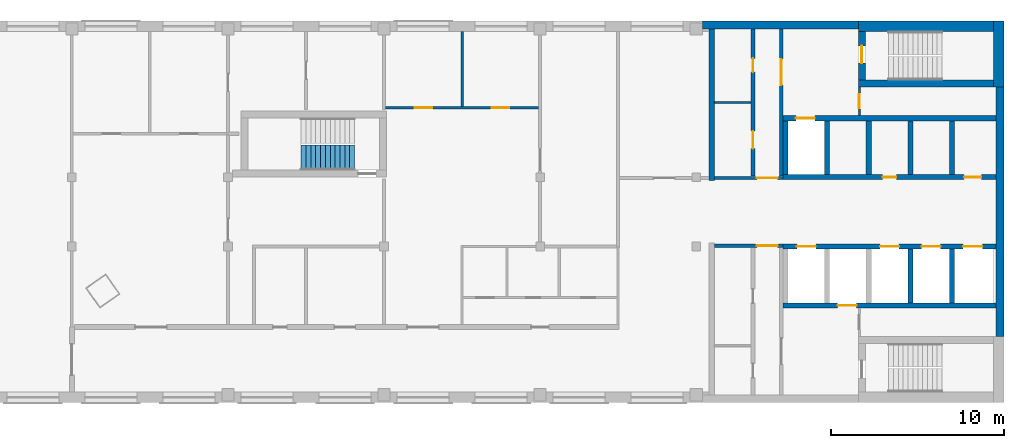
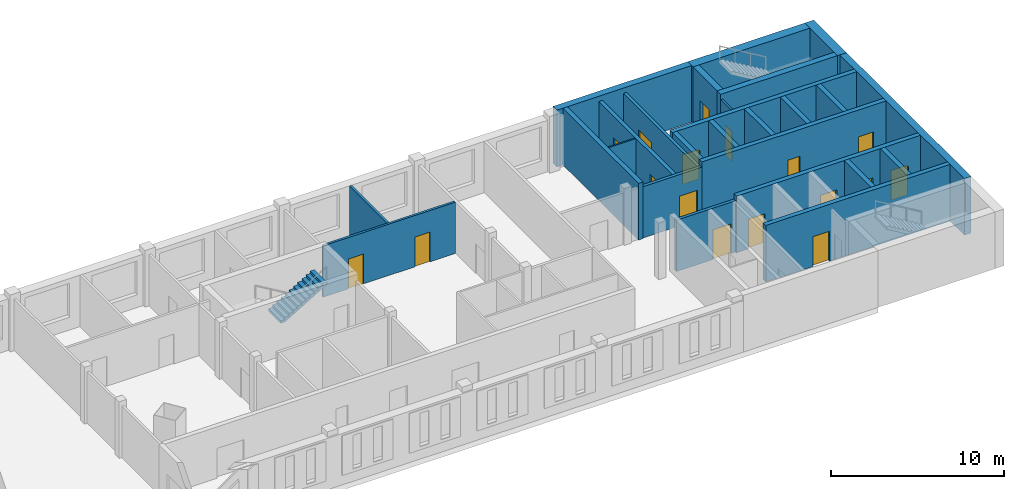
# One storey, part 4 of 6: 26 walls, 17 doors, 1 stair flight, 17 openings, 1 element without a shape of its own.
"""IFC4 building model written with IfcOpenShell, lengths in metres."""

from ifc_helpers import new_model, si_unit, direction, frame, frame_2d, origin, place, context, subcontext, project, spatial, polyline, rectangle, outline, extrude, material, layer, layer_set, type_object, element, fill, aggregate, save


model = new_model("IFC4")

# Units and contexts
model_context = context("Model", 3, precision=1e-05, world=origin(), true_north=direction((0.0, 1.0)))
body_context = subcontext(model_context, "Body", "Model", "MODEL_VIEW")
ifc_project = project(units=[si_unit("LENGTHUNIT", "METRE"), si_unit("AREAUNIT", "SQUARE_METRE"), si_unit("VOLUMEUNIT", "CUBIC_METRE"), si_unit("PLANEANGLEUNIT", "RADIAN"), si_unit("MASSUNIT", "GRAM", prefix="KILO")], contexts=[model_context])

# Site, building, storey
site_placement = place(None, origin())
site = spatial("IfcSite", under=ifc_project, at=site_placement, CompositionType="ELEMENT")
building_placement = place(site_placement, origin())
building = spatial("IfcBuilding", under=site, at=building_placement, Name="Skarvind Civic Tower", CompositionType="ELEMENT")
storey_placement = place(building_placement, frame((0.0, 0.0, 249.5)))
storey = spatial("IfcBuildingStorey", under=building, at=storey_placement, Name="L59", CompositionType="ELEMENT", Elevation=249.5)

# Wall, opening, door
ifc_material_1 = material(Name="Fire-rated masonry partition", Category="masonry")
ifc_layer_1 = layer(ifc_material_1, 0.199951171875)
ifc_layer_set_1 = layer_set([ifc_layer_1], Name="Core enclosure wall 200")
wall_type_1 = type_object("IfcWallType", Name="Core enclosure wall 200", PredefinedType="PARTITIONING", material=ifc_layer_set_1)
wall_1_placement = place(storey_placement, frame((95.25, 126.050048828125, 0.0), z_axis=(0.0, 0.0, 1.0), x_axis=(-1.0, 0.0, 0.0)))
wall_1 = element("IfcWall", 1, at=wall_1_placement, inside=storey, type_object=wall_type_1, Name="Core wall C1", PredefinedType="PARTITIONING", context=body_context, shape_type="SweptSolid", body=[
    extrude(rectangle(XDim=3.949951171875, YDim=0.199951171875, at=frame_2d((1.97509765625, 0.0))), origin(), (0.0, 0.0, 1.0), 3.625),
])
opening_1_placement = place(wall_1_placement, frame((0.300048828125, 0.0, 0.0)))
opening_1 = element("IfcOpeningElement", 2, at=opening_1_placement, cuts=wall_1, Name="Opening D-L59-C1-07", PredefinedType="OPENING", context=body_context, shape_type="SweptSolid", body=[
    extrude(rectangle(XDim=1.199951171875, YDim=2.10009765625, at=frame_2d((0.60009765625, 1.050048828125))), frame((0.0, 0.10986328125, 0.0), z_axis=(0.0, -1.0, 0.0), x_axis=(1.0, 0.0, 0.0)), (0.0, 0.0, 1.0), 0.219970703125),
])
ifc_material_2 = material(Name="Fire-rated steel door", Category="steel")
door_type_1 = type_object("IfcDoorType", Name="Core lobby door 1200", OperationType="NOTDEFINED", PredefinedType="DOOR", material=ifc_material_2)
door_1_placement = place(opening_1_placement, origin())
door_1 = element("IfcDoor", 3, at=door_1_placement, inside=storey, type_object=door_type_1, Name="Fire door", OperationType="DOUBLE_DOOR_SINGLE_SWING", OverallHeight=2.10009765625, OverallWidth=1.199951171875, PredefinedType="DOOR", context=body_context, shape_type="SweptSolid", body=[
    extrude(rectangle(XDim=1.199951171875, YDim=2.10009765625, at=frame_2d((0.60009765625, 1.050048828125))), frame((0.0, 0.02490234375, 0.0), z_axis=(0.0, -1.0, 0.0), x_axis=(1.0, 0.0, 0.0)), (0.0, 0.0, 1.0), 0.050048828125),
])
fill(opening_1, door_1)

wall_2_placement = place(storey_placement, frame((91.300048828125, 129.949951171875, 0.0), z_axis=(0.0, 0.0, 1.0), x_axis=(1.0, 0.0, 0.0)))
wall_2 = element("IfcWall", 4, at=wall_2_placement, inside=storey, type_object=wall_type_1, Name="Core wall C1", PredefinedType="PARTITIONING", context=body_context, shape_type="SweptSolid", body=[
    extrude(rectangle(XDim=3.949951171875, YDim=0.199951171875, at=frame_2d((1.97509765625, 0.0))), origin(), (0.0, 0.0, 1.0), 3.625),
])
opening_2_placement = place(wall_2_placement, frame((2.449951171875, 0.0, 0.0)))
opening_2 = element("IfcOpeningElement", 5, at=opening_2_placement, cuts=wall_2, Name="Opening D-L59-C1-13", PredefinedType="OPENING", context=body_context, shape_type="SweptSolid", body=[
    extrude(rectangle(XDim=1.199951171875, YDim=2.10009765625, at=frame_2d((0.60009765625, 1.050048828125))), frame((0.0, 0.10986328125, 0.0), z_axis=(0.0, -1.0, 0.0), x_axis=(1.0, 0.0, 0.0)), (0.0, 0.0, 1.0), 0.219970703125),
])
door_2_placement = place(opening_2_placement, origin())
door_2 = element("IfcDoor", 6, at=door_2_placement, inside=storey, type_object=door_type_1, Name="Fire door", OperationType="DOUBLE_DOOR_SINGLE_SWING", OverallHeight=2.10009765625, OverallWidth=1.199951171875, PredefinedType="DOOR", context=body_context, shape_type="SweptSolid", body=[
    extrude(rectangle(XDim=1.199951171875, YDim=2.10009765625, at=frame_2d((0.60009765625, 1.050048828125))), frame((0.0, 0.02490234375, 0.0), z_axis=(0.0, -1.0, 0.0), x_axis=(1.0, 0.0, 0.0)), (0.0, 0.0, 1.0), 0.050048828125),
])
fill(opening_2, door_2)

wall_3_placement = place(storey_placement, frame((95.14990234375, 130.050048828125, 0.0), z_axis=(0.0, 0.0, 1.0), x_axis=(0.0, 1.0, 0.0)))
wall_3 = element("IfcWall", 7, at=wall_3_placement, inside=storey, type_object=wall_type_1, Name="Core wall C1", PredefinedType="PARTITIONING", context=body_context, shape_type="SweptSolid", body=[
    extrude(rectangle(XDim=8.5, YDim=0.199951171875, at=frame_2d((4.25, 0.0))), origin(), (0.0, 0.0, 1.0), 3.625),
])
opening_3_placement = place(wall_3_placement, frame((5.25, 0.0, 0.0)))
opening_3 = element("IfcOpeningElement", 8, at=opening_3_placement, cuts=wall_3, Name="Opening D-L59-C1-14", PredefinedType="OPENING", context=body_context, shape_type="SweptSolid", body=[
    extrude(rectangle(XDim=1.5, YDim=2.10009765625, at=frame_2d((0.75, 1.050048828125))), frame((0.0, 0.10986328125, 0.0), z_axis=(0.0, -1.0, 0.0), x_axis=(1.0, 0.0, 0.0)), (0.0, 0.0, 1.0), 0.219970703125),
])
door_type_2 = type_object("IfcDoorType", Name="Fire door 1500", OperationType="NOTDEFINED", PredefinedType="DOOR", material=ifc_material_2)
door_3_placement = place(opening_3_placement, origin())
door_3 = element("IfcDoor", 9, at=door_3_placement, inside=storey, type_object=door_type_2, Name="Fire door", OperationType="DOUBLE_DOOR_SINGLE_SWING", OverallHeight=2.10009765625, OverallWidth=1.5, PredefinedType="DOOR", context=body_context, shape_type="SweptSolid", body=[
    extrude(rectangle(XDim=1.5, YDim=2.10009765625, at=frame_2d((0.75, 1.050048828125))), frame((0.0, 0.02490234375, 0.0), z_axis=(0.0, -1.0, 0.0), x_axis=(1.0, 0.0, 0.0)), (0.0, 0.0, 1.0), 0.050048828125),
])
fill(opening_3, door_3)

# Wall
ifc_material_3 = material(Name="Fire-rated plasterboard partition")
ifc_layer_2 = layer(ifc_material_3, 0.10009765625)
ifc_layer_set_2 = layer_set([ifc_layer_2], Name="Core partition wall 100")
wall_type_2 = type_object("IfcWallType", Name="Core partition wall 100", PredefinedType="PARTITIONING", material=ifc_layer_set_2)
wall_4_placement = place(storey_placement, frame((91.300048828125, 134.300048828125, 0.0), z_axis=(0.0, 0.0, 1.0), x_axis=(1.0, 0.0, 0.0)))
element("IfcWall", 10, at=wall_4_placement, inside=storey, type_object=wall_type_2, Name="Core wall C1", PredefinedType="PARTITIONING", context=body_context, shape_type="SweptSolid", body=[
    extrude(rectangle(XDim=2.099853515625, YDim=0.10009765625, at=frame_2d((1.0498046875, 0.0))), origin(), (0.0, 0.0, 1.0), 3.625),
])

# Wall, openings, doors
ifc_material_4 = material(Name="Concrete C60", Category="concrete")
ifc_layer_3 = layer(ifc_material_4, 0.300048828125)
ifc_layer_set_3 = layer_set([ifc_layer_3], Name="Core wall 300 C60")
wall_type_3 = type_object("IfcWallType", Name="Core wall 300 C60", PredefinedType="SHEAR", material=ifc_layer_set_3)
wall_5_placement = place(storey_placement, frame((107.550048828125, 130.0, 0.0), z_axis=(0.0, 0.0, 1.0), x_axis=(-1.0, 0.0, 0.0)))
wall_5 = element("IfcWall", 11, at=wall_5_placement, inside=storey, type_object=wall_type_3, Name="Core wall C1 south lift row front L59", PredefinedType="SHEAR", context=body_context, shape_type="SweptSolid", body=[
    extrude(rectangle(XDim=12.300048828125, YDim=0.300048828125, at=frame_2d((6.14990234375, 0.0))), origin(), (0.0, 0.0, 1.0), 4.0),
])
opening_4_placement = place(wall_5_placement, frame((0.85009765625, 0.0, 0.0)))
opening_4 = element("IfcOpeningElement", 12, at=opening_4_placement, cuts=wall_5, Name="Opening D-L59-C1-05", PredefinedType="OPENING", context=body_context, shape_type="SweptSolid", body=[
    extrude(rectangle(XDim=1.0, YDim=2.10009765625, at=frame_2d((0.5, 1.050048828125))), frame((0.0, 0.159912109375, 0.0), z_axis=(0.0, -1.0, 0.0), x_axis=(1.0, 0.0, 0.0)), (0.0, 0.0, 1.0), 0.320068359375),
])
opening_5_placement = place(wall_5_placement, frame((5.75, 0.0, 0.0)))
opening_5 = element("IfcOpeningElement", 13, at=opening_5_placement, cuts=wall_5, Name="Opening D-L59-C1-06", PredefinedType="OPENING", context=body_context, shape_type="SweptSolid", body=[
    extrude(rectangle(XDim=0.800048828125, YDim=2.10009765625, at=frame_2d((0.39990234375, 1.050048828125))), frame((0.0, 0.159912109375, 0.0), z_axis=(0.0, -1.0, 0.0), x_axis=(1.0, 0.0, 0.0)), (0.0, 0.0, 1.0), 0.320068359375),
])
door_type_3 = type_object("IfcDoorType", Name="Core riser door 800", OperationType="NOTDEFINED", PredefinedType="DOOR", material=ifc_material_2)
door_4_placement = place(opening_5_placement, origin())
door_4 = element("IfcDoor", 14, at=door_4_placement, inside=storey, type_object=door_type_3, Name="Riser door", OperationType="SINGLE_SWING_RIGHT", OverallHeight=2.10009765625, OverallWidth=0.800048828125, PredefinedType="DOOR", context=body_context, shape_type="SweptSolid", body=[
    extrude(rectangle(XDim=0.800048828125, YDim=2.10009765625, at=frame_2d((0.39990234375, 1.050048828125))), frame((0.0, 0.02490234375, 0.0), z_axis=(0.0, -1.0, 0.0), x_axis=(1.0, 0.0, 0.0)), (0.0, 0.0, 1.0), 0.050048828125),
])
fill(opening_5, door_4)
door_type_4 = type_object("IfcDoorType", Name="Fire door 1000", OperationType="NOTDEFINED", PredefinedType="DOOR", material=ifc_material_2)
door_5_placement = place(opening_4_placement, origin())
door_5 = element("IfcDoor", 15, at=door_5_placement, inside=storey, type_object=door_type_4, Name="Fire door", OperationType="SINGLE_SWING_LEFT", OverallHeight=2.10009765625, OverallWidth=1.0, PredefinedType="DOOR", context=body_context, shape_type="SweptSolid", body=[
    extrude(rectangle(XDim=1.0, YDim=2.10009765625, at=frame_2d((0.5, 1.050048828125))), frame((0.0, 0.02490234375, 0.0), z_axis=(0.0, -1.0, 0.0), x_axis=(1.0, 0.0, 0.0)), (0.0, 0.0, 1.0), 0.050048828125),
])
fill(opening_4, door_5)

# Wall, opening, door
wall_6_placement = place(storey_placement, frame((107.550048828125, 133.39990234375, 0.0), z_axis=(0.0, 0.0, 1.0), x_axis=(-1.0, 0.0, 0.0)))
wall_6 = element("IfcWall", 16, at=wall_6_placement, inside=storey, type_object=wall_type_3, Name="Core wall C1 south lift row back L59", PredefinedType="SHEAR", context=body_context, shape_type="SweptSolid", body=[
    extrude(rectangle(XDim=12.300048828125, YDim=0.300048828125, at=frame_2d((6.14990234375, 0.0))), origin(), (0.0, 0.0, 1.0), 4.0),
])
opening_6_placement = place(wall_6_placement, frame((10.449951171875, 0.0, 0.0)))
opening_6 = element("IfcOpeningElement", 17, at=opening_6_placement, cuts=wall_6, Name="Opening LD61110", PredefinedType="OPENING", context=body_context, shape_type="SweptSolid", body=[
    extrude(rectangle(XDim=1.10009765625, YDim=2.10009765625, at=frame_2d((0.550048828125, 1.050048828125))), frame((0.0, 0.159912109375, 0.0), z_axis=(0.0, -1.0, 0.0), x_axis=(1.0, 0.0, 0.0)), (0.0, 0.0, 1.0), 0.320068359375),
])
ifc_material_5 = material(Name="Stainless steel landing door", Category="steel")
door_type_5 = type_object("IfcDoorType", Name="Lift landing door 1100", OperationType="DOUBLE_DOOR_SLIDING", PredefinedType="DOOR", material=ifc_material_5)
door_6_placement = place(opening_6_placement, origin())
door_6 = element("IfcDoor", 18, at=door_6_placement, inside=storey, type_object=door_type_5, Name="Lift landing door", OperationType="DOUBLE_DOOR_SLIDING", OverallHeight=2.10009765625, OverallWidth=1.10009765625, PredefinedType="DOOR", context=body_context, shape_type="SweptSolid", body=[
    extrude(rectangle(XDim=1.10009765625, YDim=2.10009765625, at=frame_2d((0.550048828125, 1.050048828125))), frame((0.0, 0.02490234375, 0.0), z_axis=(0.0, -1.0, 0.0), x_axis=(1.0, 0.0, 0.0)), (0.0, 0.0, 1.0), 0.050048828125),
])
fill(opening_6, door_6)

# Walls
for number, where, z_axis, x_axis, name in (
    (19, (105.0, 133.25, 0.0), (0.0, 0.0, 1.0), (0.0, -1.0, 0.0), "Core wall C1 south lift row division 1 L59"),
    (20, (102.60009765625, 133.25, 0.0), (0.0, 0.0, 1.0), (0.0, -1.0, 0.0), "Core wall C1 south lift row division 2 L59"),
    (21, (100.199951171875, 133.25, 0.0), (0.0, 0.0, 1.0), (0.0, -1.0, 0.0), "Core wall C1 south lift row division 3 L59"),
    (22, (97.800048828125, 133.25, 0.0), (0.0, 0.0, 1.0), (0.0, -1.0, 0.0), "Core wall C1 south lift row division 4 L59"),
    (23, (95.39990234375, 133.25, 0.0), (0.0, 0.0, 1.0), (0.0, -1.0, 0.0), "Core wall C1 south lift row division 5 L59"),
):
    element("IfcWall", number, at=place(storey_placement, frame(where, z_axis=z_axis, x_axis=x_axis)), inside=storey, type_object=wall_type_3, Name=name, PredefinedType="SHEAR", context=body_context, shape_type="SweptSolid", body=[
        extrude(rectangle(XDim=3.10009765625, YDim=0.300048828125, at=frame_2d((1.550048828125, 0.0))), origin(), (0.0, 0.0, 1.0), 4.0),
    ])

# Wall, openings, doors
wall_7_placement = place(storey_placement, frame((107.550048828125, 126.0, 0.0), z_axis=(0.0, 0.0, 1.0), x_axis=(-1.0, 0.0, 0.0)))
wall_7 = element("IfcWall", 24, at=wall_7_placement, inside=storey, type_object=wall_type_3, Name="Core wall C1 north lift row front L59", PredefinedType="SHEAR", context=body_context, shape_type="SweptSolid", body=[
    extrude(rectangle(XDim=12.300048828125, YDim=0.300048828125, at=frame_2d((6.14990234375, 0.0))), origin(), (0.0, 0.0, 1.0), 4.0),
])
opening_7_placement = place(wall_7_placement, frame((0.800048828125, 0.0, 0.0)))
opening_7 = element("IfcOpeningElement", 25, at=opening_7_placement, cuts=wall_7, Name="Opening LD61101", PredefinedType="OPENING", context=body_context, shape_type="SweptSolid", body=[
    extrude(rectangle(XDim=1.10009765625, YDim=2.10009765625, at=frame_2d((0.550048828125, 1.050048828125))), frame((0.0, 0.159912109375, 0.0), z_axis=(0.0, -1.0, 0.0), x_axis=(1.0, 0.0, 0.0)), (0.0, 0.0, 1.0), 0.320068359375),
])
opening_8_placement = place(wall_7_placement, frame((3.199951171875, 0.0, 0.0)))
opening_8 = element("IfcOpeningElement", 26, at=opening_8_placement, cuts=wall_7, Name="Opening LD61102", PredefinedType="OPENING", context=body_context, shape_type="SweptSolid", body=[
    extrude(rectangle(XDim=1.10009765625, YDim=2.10009765625, at=frame_2d((0.550048828125, 1.050048828125))), frame((0.0, 0.159912109375, 0.0), z_axis=(0.0, -1.0, 0.0), x_axis=(1.0, 0.0, 0.0)), (0.0, 0.0, 1.0), 0.320068359375),
])
opening_9_placement = place(wall_7_placement, frame((5.60009765625, 0.0, 0.0)))
opening_9 = element("IfcOpeningElement", 27, at=opening_9_placement, cuts=wall_7, Name="Opening LD61103", PredefinedType="OPENING", context=body_context, shape_type="SweptSolid", body=[
    extrude(rectangle(XDim=1.10009765625, YDim=2.10009765625, at=frame_2d((0.550048828125, 1.050048828125))), frame((0.0, 0.159912109375, 0.0), z_axis=(0.0, -1.0, 0.0), x_axis=(1.0, 0.0, 0.0)), (0.0, 0.0, 1.0), 0.320068359375),
])
opening_10_placement = place(wall_7_placement, frame((10.39990234375, 0.0, 0.0)))
opening_10 = element("IfcOpeningElement", 28, at=opening_10_placement, cuts=wall_7, Name="Opening LD61105", PredefinedType="OPENING", context=body_context, shape_type="SweptSolid", body=[
    extrude(rectangle(XDim=1.10009765625, YDim=2.10009765625, at=frame_2d((0.550048828125, 1.050048828125))), frame((0.0, 0.159912109375, 0.0), z_axis=(0.0, -1.0, 0.0), x_axis=(1.0, 0.0, 0.0)), (0.0, 0.0, 1.0), 0.320068359375),
])
door_7_placement = place(opening_7_placement, origin())
door_7 = element("IfcDoor", 29, at=door_7_placement, inside=storey, type_object=door_type_5, Name="Lift landing door", OperationType="DOUBLE_DOOR_SLIDING", OverallHeight=2.10009765625, OverallWidth=1.10009765625, PredefinedType="DOOR", context=body_context, shape_type="SweptSolid", body=[
    extrude(rectangle(XDim=1.10009765625, YDim=2.10009765625, at=frame_2d((0.550048828125, 1.050048828125))), frame((0.0, 0.02490234375, 0.0), z_axis=(0.0, -1.0, 0.0), x_axis=(1.0, 0.0, 0.0)), (0.0, 0.0, 1.0), 0.050048828125),
])
fill(opening_7, door_7)
door_8_placement = place(opening_8_placement, origin())
door_8 = element("IfcDoor", 30, at=door_8_placement, inside=storey, type_object=door_type_5, Name="Lift landing door", OperationType="DOUBLE_DOOR_SLIDING", OverallHeight=2.10009765625, OverallWidth=1.10009765625, PredefinedType="DOOR", context=body_context, shape_type="SweptSolid", body=[
    extrude(rectangle(XDim=1.10009765625, YDim=2.10009765625, at=frame_2d((0.550048828125, 1.050048828125))), frame((0.0, 0.02490234375, 0.0), z_axis=(0.0, -1.0, 0.0), x_axis=(1.0, 0.0, 0.0)), (0.0, 0.0, 1.0), 0.050048828125),
])
fill(opening_8, door_8)
door_9_placement = place(opening_9_placement, origin())
door_9 = element("IfcDoor", 31, at=door_9_placement, inside=storey, type_object=door_type_5, Name="Lift landing door", OperationType="DOUBLE_DOOR_SLIDING", OverallHeight=2.10009765625, OverallWidth=1.10009765625, PredefinedType="DOOR", context=body_context, shape_type="SweptSolid", body=[
    extrude(rectangle(XDim=1.10009765625, YDim=2.10009765625, at=frame_2d((0.550048828125, 1.050048828125))), frame((0.0, 0.02490234375, 0.0), z_axis=(0.0, -1.0, 0.0), x_axis=(1.0, 0.0, 0.0)), (0.0, 0.0, 1.0), 0.050048828125),
])
fill(opening_9, door_9)
door_10_placement = place(opening_10_placement, origin())
door_10 = element("IfcDoor", 32, at=door_10_placement, inside=storey, type_object=door_type_5, Name="Lift landing door", OperationType="DOUBLE_DOOR_SLIDING", OverallHeight=2.10009765625, OverallWidth=1.10009765625, PredefinedType="DOOR", context=body_context, shape_type="SweptSolid", body=[
    extrude(rectangle(XDim=1.10009765625, YDim=2.10009765625, at=frame_2d((0.550048828125, 1.050048828125))), frame((0.0, 0.02490234375, 0.0), z_axis=(0.0, -1.0, 0.0), x_axis=(1.0, 0.0, 0.0)), (0.0, 0.0, 1.0), 0.050048828125),
])
fill(opening_10, door_10)

# Wall, opening, door
wall_8_placement = place(storey_placement, frame((107.550048828125, 122.60009765625, 0.0), z_axis=(0.0, 0.0, 1.0), x_axis=(-1.0, 0.0, 0.0)))
wall_8 = element("IfcWall", 33, at=wall_8_placement, inside=storey, type_object=wall_type_3, Name="Core wall C1 north lift row back L59", PredefinedType="SHEAR", context=body_context, shape_type="SweptSolid", body=[
    extrude(rectangle(XDim=12.300048828125, YDim=0.300048828125, at=frame_2d((6.14990234375, 0.0))), origin(), (0.0, 0.0, 1.0), 4.0),
])
opening_11_placement = place(wall_8_placement, frame((8.050048828125, 0.0, 0.0)))
opening_11 = element("IfcOpeningElement", 34, at=opening_11_placement, cuts=wall_8, Name="Opening LD61104", PredefinedType="OPENING", context=body_context, shape_type="SweptSolid", body=[
    extrude(rectangle(XDim=1.10009765625, YDim=2.10009765625, at=frame_2d((0.550048828125, 1.050048828125))), frame((0.0, 0.159912109375, 0.0), z_axis=(0.0, -1.0, 0.0), x_axis=(1.0, 0.0, 0.0)), (0.0, 0.0, 1.0), 0.320068359375),
])
door_11_placement = place(opening_11_placement, origin())
door_11 = element("IfcDoor", 35, at=door_11_placement, inside=storey, type_object=door_type_5, Name="Lift landing door", OperationType="DOUBLE_DOOR_SLIDING", OverallHeight=2.10009765625, OverallWidth=1.10009765625, PredefinedType="DOOR", context=body_context, shape_type="SweptSolid", body=[
    extrude(rectangle(XDim=1.10009765625, YDim=2.10009765625, at=frame_2d((0.550048828125, 1.050048828125))), frame((0.0, 0.02490234375, 0.0), z_axis=(0.0, -1.0, 0.0), x_axis=(1.0, 0.0, 0.0)), (0.0, 0.0, 1.0), 0.050048828125),
])
fill(opening_11, door_11)

# Walls
for number, where, z_axis, x_axis, name in (
    (36, (105.0, 125.85009765625, 0.0), (0.0, 0.0, 1.0), (0.0, -1.0, 0.0), "Core wall C1 north lift row division 1 L59"),
    (37, (102.60009765625, 125.85009765625, 0.0), (0.0, 0.0, 1.0), (0.0, -1.0, 0.0), "Core wall C1 north lift row division 2 L59"),
):
    element("IfcWall", number, at=place(storey_placement, frame(where, z_axis=z_axis, x_axis=x_axis)), inside=storey, type_object=wall_type_3, Name=name, PredefinedType="SHEAR", context=body_context, shape_type="SweptSolid", body=[
        extrude(rectangle(XDim=3.10009765625, YDim=0.300048828125, at=frame_2d((1.550048828125, 0.0))), origin(), (0.0, 0.0, 1.0), 4.0),
    ])
wall_9_placement = place(storey_placement, frame((91.14990234375, 138.550048828125, 0.0), z_axis=(0.0, 0.0, 1.0), x_axis=(0.0, -1.0, 0.0)))
element("IfcWall", 38, at=wall_9_placement, inside=storey, type_object=wall_type_3, Name="Core wall C1 south inner face L59", PredefinedType="SHEAR", context=body_context, shape_type="SweptSolid", body=[
    extrude(rectangle(XDim=8.75, YDim=0.300048828125, at=frame_2d((4.375, 0.0))), origin(), (0.0, 0.0, 1.0), 4.0),
])
ifc_layer_4 = layer(ifc_material_4, 0.39990234375)
ifc_layer_set_4 = layer_set([ifc_layer_4], Name="Core wall 400 C60")
wall_type_4 = type_object("IfcWallType", Name="Core wall 400 C60", PredefinedType="SHEAR", material=ifc_layer_set_4)
wall_10_placement = place(storey_placement, frame((107.39990234375, 135.39990234375, 0.0), z_axis=(0.0, 0.0, 1.0), x_axis=(-1.0, 0.0, 0.0)))
element("IfcWall", 39, at=wall_10_placement, inside=storey, type_object=wall_type_4, Name="Core wall C1 south stair inner L59", PredefinedType="SHEAR", context=body_context, shape_type="SweptSolid", body=[
    extrude(rectangle(XDim=7.7998046875, YDim=0.39990234375, at=frame_2d((3.89990234375, 0.0))), origin(), (0.0, 0.0, 1.0), 4.0),
])

# Wall, opening, door
wall_11_placement = place(storey_placement, frame((99.800048828125, 138.39990234375, 0.0), z_axis=(0.0, 0.0, 1.0), x_axis=(0.0, -1.0, 0.0)))
wall_11 = element("IfcWall", 40, at=wall_11_placement, inside=storey, type_object=wall_type_4, Name="Core wall C1 south stair end L59", PredefinedType="SHEAR", context=body_context, shape_type="SweptSolid", body=[
    extrude(rectangle(XDim=2.7998046875, YDim=0.39990234375, at=frame_2d((1.39990234375, 0.0))), origin(), (0.0, 0.0, 1.0), 4.0),
])
opening_12_placement = place(wall_11_placement, frame((0.824951171875, 0.0, 0.0)))
opening_12 = element("IfcOpeningElement", 41, at=opening_12_placement, cuts=wall_11, Name="Opening D-L59-C1-15", PredefinedType="OPENING", context=body_context, shape_type="SweptSolid", body=[
    extrude(rectangle(XDim=1.0, YDim=2.10009765625, at=frame_2d((0.5, 1.050048828125))), frame((0.0, 0.2099609375, 0.0), z_axis=(0.0, -1.0, 0.0), x_axis=(1.0, 0.0, 0.0)), (0.0, 0.0, 1.0), 0.419921875),
])
door_12_placement = place(opening_12_placement, origin())
door_12 = element("IfcDoor", 42, at=door_12_placement, inside=storey, type_object=door_type_4, Name="Fire door", OperationType="SINGLE_SWING_RIGHT", OverallHeight=2.10009765625, OverallWidth=1.0, PredefinedType="DOOR", context=body_context, shape_type="SweptSolid", body=[
    extrude(rectangle(XDim=1.0, YDim=2.10009765625, at=frame_2d((0.5, 1.050048828125))), frame((0.0, 0.02490234375, 0.0), z_axis=(0.0, -1.0, 0.0), x_axis=(1.0, 0.0, 0.0)), (0.0, 0.0, 1.0), 0.050048828125),
])
fill(opening_12, door_12)

# Walls
ifc_layer_5 = layer(ifc_material_4, 0.449951171875)
ifc_layer_set_5 = layer_set([ifc_layer_5], Name="Core wall 450 C60")
wall_type_5 = type_object("IfcWallType", Name="Core wall 450 C60", PredefinedType="SHEAR", material=ifc_layer_set_5)
wall_12_placement = place(storey_placement, frame((107.77490234375, 135.199951171875, 0.0), z_axis=(0.0, 0.0, 1.0), x_axis=(0.0, -1.0, 0.0)))
element("IfcWall", 43, at=wall_12_placement, inside=storey, type_object=wall_type_5, Name="Core wall C1 tip between the stairs L59", PredefinedType="SHEAR", context=body_context, shape_type="SweptSolid", body=[
    extrude(rectangle(XDim=14.39990234375, YDim=0.449951171875, at=frame_2d((7.199951171875, 0.0))), origin(), (0.0, 0.0, 1.0), 4.0),
])
wall_13_placement = place(storey_placement, frame((99.60009765625, 138.77490234375, 0.0), z_axis=(0.0, 0.0, 1.0), x_axis=(-1.0, 0.0, 0.0)))
element("IfcWall", 44, at=wall_13_placement, inside=storey, type_object=wall_type_5, Name="Core wall C1 south side L59", PredefinedType="SHEAR", context=body_context, shape_type="SweptSolid", body=[
    extrude(rectangle(XDim=9.0, YDim=0.449951171875, at=frame_2d((4.5, 0.0))), origin(), (0.0, 0.0, 1.0), 4.0),
])
ifc_layer_6 = layer(ifc_material_4, 0.60009765625)
ifc_layer_set_6 = layer_set([ifc_layer_6], Name="Core wall 600 C60")
wall_type_6 = type_object("IfcWallType", Name="Core wall 600 C60", PredefinedType="SHEAR", material=ifc_layer_set_6)
wall_14_placement = place(storey_placement, frame((107.699951171875, 139.0, 0.0), z_axis=(0.0, 0.0, 1.0), x_axis=(0.0, -1.0, 0.0)))
element("IfcWall", 45, at=wall_14_placement, inside=storey, type_object=wall_type_6, Name="Core wall C1 tip at the south stair L59", PredefinedType="SHEAR", context=body_context, shape_type="SweptSolid", body=[
    extrude(rectangle(XDim=3.800048828125, YDim=0.60009765625, at=frame_2d((1.89990234375, 0.0))), origin(), (0.0, 0.0, 1.0), 4.0),
])
wall_15_placement = place(storey_placement, frame((107.39990234375, 138.699951171875, 0.0), z_axis=(0.0, 0.0, 1.0), x_axis=(-1.0, 0.0, 0.0)))
element("IfcWall", 46, at=wall_15_placement, inside=storey, type_object=wall_type_6, Name="Core wall C1 south side at the stair L59", PredefinedType="SHEAR", context=body_context, shape_type="SweptSolid", body=[
    extrude(rectangle(XDim=7.7998046875, YDim=0.60009765625, at=frame_2d((3.89990234375, 0.0))), origin(), (0.0, 0.0, 1.0), 4.0),
])

# Wall, openings, doors
ifc_material_6 = material(Name="Plasterboard partition on steel studs", Category="steel")
ifc_layer_7 = layer(ifc_material_6, 0.14990234375)
ifc_layer_set_7 = layer_set([ifc_layer_7], Name="PARTITION 150")
wall_type_7 = type_object("IfcWallType", Name="PARTITION 150", PredefinedType="PARTITIONING", material=ifc_layer_set_7)
wall_16_placement = place(storey_placement, frame((81.162109375, 134.0, 0.0), z_axis=(0.0, 0.0, 1.0), x_axis=(-1.0, 0.0, 0.0)))
wall_16 = element("IfcWall", 47, at=wall_16_placement, inside=storey, type_object=wall_type_7, Name="Partition 59.015", PredefinedType="PARTITIONING", context=body_context, shape_type="SweptSolid", body=[
    extrude(rectangle(XDim=8.837158203125, YDim=0.14990234375, at=frame_2d((4.41845703125, 0.0))), origin(), (0.0, 0.0, 1.0), 3.625),
])
opening_13_placement = place(wall_16_placement, frame((1.696044921875, 0.0, 0.0)))
opening_13 = element("IfcOpeningElement", 48, at=opening_13_placement, cuts=wall_16, Name="Opening L59-D006", PredefinedType="OPENING", context=body_context, shape_type="SweptSolid", body=[
    extrude(rectangle(XDim=1.0, YDim=2.10009765625, at=frame_2d((0.5, 1.050048828125))), frame((0.0, 0.0849609375, 0.0), z_axis=(0.0, -1.0, 0.0), x_axis=(1.0, 0.0, 0.0)), (0.0, 0.0, 1.0), 0.169921875),
])
opening_14_placement = place(wall_16_placement, frame((6.134521484375, 0.0, 0.0)))
opening_14 = element("IfcOpeningElement", 49, at=opening_14_placement, cuts=wall_16, Name="Opening L59-D007", PredefinedType="OPENING", context=body_context, shape_type="SweptSolid", body=[
    extrude(rectangle(XDim=1.0, YDim=2.10009765625, at=frame_2d((0.5, 1.050048828125))), frame((0.0, 0.0849609375, 0.0), z_axis=(0.0, -1.0, 0.0), x_axis=(1.0, 0.0, 0.0)), (0.0, 0.0, 1.0), 0.169921875),
])
ifc_material_7 = material(Name="Timber door leaf", Category="wood")
door_type_6 = type_object("IfcDoorType", Name="D1 1000x2100", OperationType="NOTDEFINED", PredefinedType="DOOR", material=ifc_material_7)
door_13_placement = place(opening_13_placement, origin())
door_13 = element("IfcDoor", 50, at=door_13_placement, inside=storey, type_object=door_type_6, Name="Door L59-D006", OperationType="SINGLE_SWING_LEFT", OverallHeight=2.10009765625, OverallWidth=1.0, PredefinedType="DOOR", context=body_context, shape_type="SweptSolid", body=[
    extrude(rectangle(XDim=1.0, YDim=2.10009765625, at=frame_2d((0.5, 1.050048828125))), frame((0.0, 0.02490234375, 0.0), z_axis=(0.0, -1.0, 0.0), x_axis=(1.0, 0.0, 0.0)), (0.0, 0.0, 1.0), 0.050048828125),
])
fill(opening_13, door_13)
door_14_placement = place(opening_14_placement, origin())
door_14 = element("IfcDoor", 51, at=door_14_placement, inside=storey, type_object=door_type_6, Name="Door L59-D007", OperationType="SINGLE_SWING_RIGHT", OverallHeight=2.10009765625, OverallWidth=1.0, PredefinedType="DOOR", context=body_context, shape_type="SweptSolid", body=[
    extrude(rectangle(XDim=1.0, YDim=2.10009765625, at=frame_2d((0.5, 1.050048828125))), frame((0.0, 0.02490234375, 0.0), z_axis=(0.0, -1.0, 0.0), x_axis=(1.0, 0.0, 0.0)), (0.0, 0.0, 1.0), 0.050048828125),
])
fill(opening_14, door_14)

# Wall
wall_17_placement = place(storey_placement, frame((76.75, 134.074951171875, 0.0), z_axis=(0.0, 0.0, 1.0), x_axis=(0.0, 1.0, 0.0)))
element("IfcWall", 52, at=wall_17_placement, inside=storey, type_object=wall_type_7, Name="Partition 59.019", PredefinedType="PARTITIONING", context=body_context, shape_type="SweptSolid", body=[
    extrude(rectangle(XDim=4.324951171875, YDim=0.14990234375, at=frame_2d((2.16259765625, 0.0))), origin(), (0.0, 0.0, 1.0), 3.625),
])

# Wall, opening, door
ifc_layer_8 = layer(ifc_material_1, 0.125)
ifc_layer_set_8 = layer_set([ifc_layer_8], Name="Riser wall 125")
wall_type_8 = type_object("IfcWallType", Name="Riser wall 125", PredefinedType="PARTITIONING", material=ifc_layer_set_8)
wall_18_placement = place(storey_placement, frame((99.66259765625, 133.550048828125, 0.0), z_axis=(0.0, 0.0, 1.0), x_axis=(0.0, 1.0, 0.0)))
wall_18 = element("IfcWall", 53, at=wall_18_placement, inside=storey, type_object=wall_type_8, Name="Core wall C1", PredefinedType="PARTITIONING", context=body_context, shape_type="SweptSolid", body=[
    extrude(rectangle(XDim=1.64990234375, YDim=0.125, at=frame_2d((0.824951171875, 0.0))), origin(), (0.0, 0.0, 1.0), 3.625),
])
opening_15_placement = place(wall_18_placement, frame((0.425048828125, 0.0, 0.0)))
opening_15 = element("IfcOpeningElement", 54, at=opening_15_placement, cuts=wall_18, Name="Opening D-L59-C1-16", PredefinedType="OPENING", context=body_context, shape_type="SweptSolid", body=[
    extrude(rectangle(XDim=0.800048828125, YDim=2.10009765625, at=frame_2d((0.39990234375, 1.050048828125))), frame((0.0, 0.072509765625, 0.0), z_axis=(0.0, -1.0, 0.0), x_axis=(1.0, 0.0, 0.0)), (0.0, 0.0, 1.0), 0.14501953125),
])
door_15_placement = place(opening_15_placement, origin())
door_15 = element("IfcDoor", 55, at=door_15_placement, inside=storey, type_object=door_type_3, Name="Riser door", OperationType="SINGLE_SWING_LEFT", OverallHeight=2.10009765625, OverallWidth=0.800048828125, PredefinedType="DOOR", context=body_context, shape_type="SweptSolid", body=[
    extrude(rectangle(XDim=0.800048828125, YDim=2.10009765625, at=frame_2d((0.39990234375, 1.050048828125))), frame((0.0, 0.02490234375, 0.0), z_axis=(0.0, -1.0, 0.0), x_axis=(1.0, 0.0, 0.0)), (0.0, 0.0, 1.0), 0.050048828125),
])
fill(opening_15, door_15)

# Wall, openings, doors
ifc_layer_9 = layer(ifc_material_1, 0.25)
ifc_layer_set_9 = layer_set([ifc_layer_9], Name="Service block wall 250")
wall_type_9 = type_object("IfcWallType", Name="Service block wall 250", PredefinedType="PARTITIONING", material=ifc_layer_set_9)
wall_19_placement = place(storey_placement, frame((93.52490234375, 130.050048828125, 0.0), z_axis=(0.0, 0.0, 1.0), x_axis=(0.0, 1.0, 0.0)))
wall_19 = element("IfcWall", 56, at=wall_19_placement, inside=storey, type_object=wall_type_9, Name="Core wall C1", PredefinedType="PARTITIONING", context=body_context, shape_type="SweptSolid", body=[
    extrude(rectangle(XDim=8.5, YDim=0.25, at=frame_2d((4.25, 0.0))), origin(), (0.0, 0.0, 1.0), 3.625),
])
opening_16_placement = place(wall_19_placement, frame((1.60009765625, 0.0, 0.0)))
opening_16 = element("IfcOpeningElement", 57, at=opening_16_placement, cuts=wall_19, Name="Opening D-L59-C1-17", PredefinedType="OPENING", context=body_context, shape_type="SweptSolid", body=[
    extrude(rectangle(XDim=1.0, YDim=2.10009765625, at=frame_2d((0.5, 1.050048828125))), frame((0.0, 0.135009765625, 0.0), z_axis=(0.0, -1.0, 0.0), x_axis=(1.0, 0.0, 0.0)), (0.0, 0.0, 1.0), 0.27001953125),
])
opening_17_placement = place(wall_19_placement, frame((6.0, 0.0, 0.0)))
opening_17 = element("IfcOpeningElement", 58, at=opening_17_placement, cuts=wall_19, Name="Opening D-L59-C1-18", PredefinedType="OPENING", context=body_context, shape_type="SweptSolid", body=[
    extrude(rectangle(XDim=0.800048828125, YDim=2.10009765625, at=frame_2d((0.39990234375, 1.050048828125))), frame((0.0, 0.135009765625, 0.0), z_axis=(0.0, -1.0, 0.0), x_axis=(1.0, 0.0, 0.0)), (0.0, 0.0, 1.0), 0.27001953125),
])
door_16_placement = place(opening_17_placement, origin())
door_16 = element("IfcDoor", 59, at=door_16_placement, inside=storey, type_object=door_type_3, Name="Riser door", OperationType="SINGLE_SWING_LEFT", OverallHeight=2.10009765625, OverallWidth=0.800048828125, PredefinedType="DOOR", context=body_context, shape_type="SweptSolid", body=[
    extrude(rectangle(XDim=0.800048828125, YDim=2.10009765625, at=frame_2d((0.39990234375, 1.050048828125))), frame((0.0, 0.02490234375, 0.0), z_axis=(0.0, -1.0, 0.0), x_axis=(1.0, 0.0, 0.0)), (0.0, 0.0, 1.0), 0.050048828125),
])
fill(opening_17, door_16)
door_17_placement = place(opening_16_placement, origin())
door_17 = element("IfcDoor", 60, at=door_17_placement, inside=storey, type_object=door_type_4, Name="Fire door", OperationType="SINGLE_SWING_RIGHT", OverallHeight=2.10009765625, OverallWidth=1.0, PredefinedType="DOOR", context=body_context, shape_type="SweptSolid", body=[
    extrude(rectangle(XDim=1.0, YDim=2.10009765625, at=frame_2d((0.5, 1.050048828125))), frame((0.0, 0.02490234375, 0.0), z_axis=(0.0, -1.0, 0.0), x_axis=(1.0, 0.0, 0.0)), (0.0, 0.0, 1.0), 0.050048828125),
])
fill(opening_16, door_17)

# Stair, stair flight
ifc_material_8 = material(Name="Concrete C40/50", Category="concrete")
stair_type = type_object("IfcStairType", Name="Exit stair 1450, half-turn, concrete", PredefinedType="HALF_TURN_STAIR", material=ifc_material_8)
stair_placement = place(storey_placement, origin())
stair = element("IfcStair", 61, at=stair_placement, inside=storey, type_object=stair_type, Name="Exit stair CM", PredefinedType="HALF_TURN_STAIR")
stair_flight_type = type_object("IfcStairFlightType", Name="Stair flight 1450, concrete", PredefinedType="STRAIGHT", material=ifc_material_8)
stair_flight_placement = place(storey_placement, frame((67.469970703125, 131.125, 2.0), z_axis=(0.0, 0.0, 1.0), x_axis=(1.0, 0.0, 0.0)))
stair_flight = element("IfcStairFlight", 62, at=stair_flight_placement, type_object=stair_flight_type, Name="ST-CM flight 2", NumberOfRisers=12, NumberOfTreads=11, PredefinedType="STRAIGHT", RiserHeight=0.166666667, TreadLength=0.28, context=body_context, shape_type="SweptSolid", body=[
    extrude(outline(polyline([(0.0, 0.0), (0.0, 0.166748046875), (0.280029296875, 0.166748046875), (0.280029296875, 0.333251953125), (0.56005859375, 0.333251953125), (0.56005859375, 0.5), (0.840087890625, 0.5), (0.840087890625, 0.666748046875), (1.1201171875, 0.666748046875), (1.1201171875, 0.833251953125), (1.39990234375, 0.833251953125), (1.39990234375, 1.0), (1.679931640625, 1.0), (1.679931640625, 1.166748046875), (1.9599609375, 1.166748046875), (1.9599609375, 1.333251953125), (2.239990234375, 1.333251953125), (2.239990234375, 1.5), (2.52001953125, 1.5), (2.52001953125, 1.666748046875), (2.800048828125, 1.666748046875), (2.800048828125, 1.833251953125), (3.080078125, 1.833251953125), (3.080078125, 2.0), (3.080078125, 1.658935546875), (0.29296875, 0.0), (0.0, 0.0)])), frame((0.0, 0.72509765625, 0.0), z_axis=(0.0, -1.0, 0.0), x_axis=(1.0, 0.0, 0.0)), (0.0, 0.0, 1.0), 1.449951171875),
])
aggregate(stair, [stair_flight])

save(model, "model.ifc")
